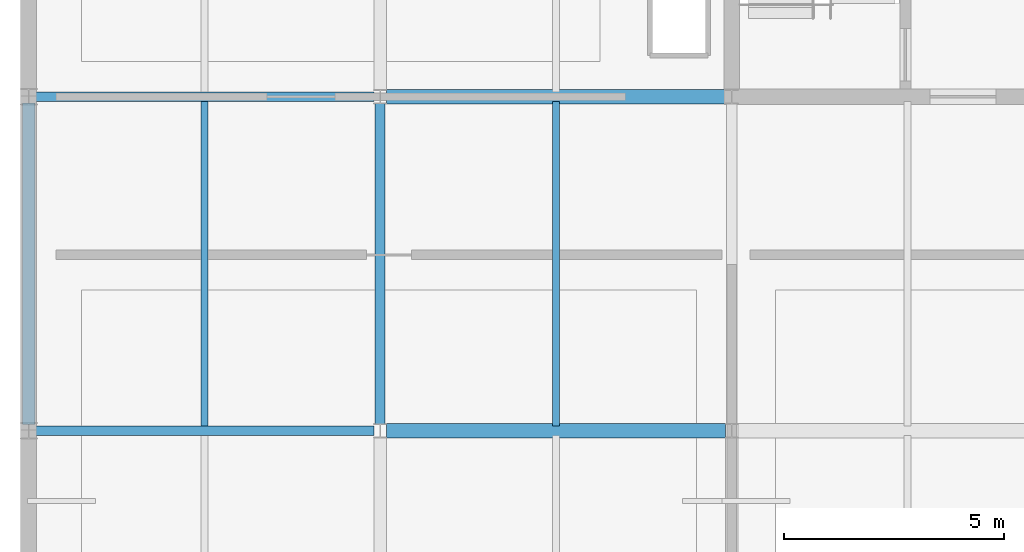
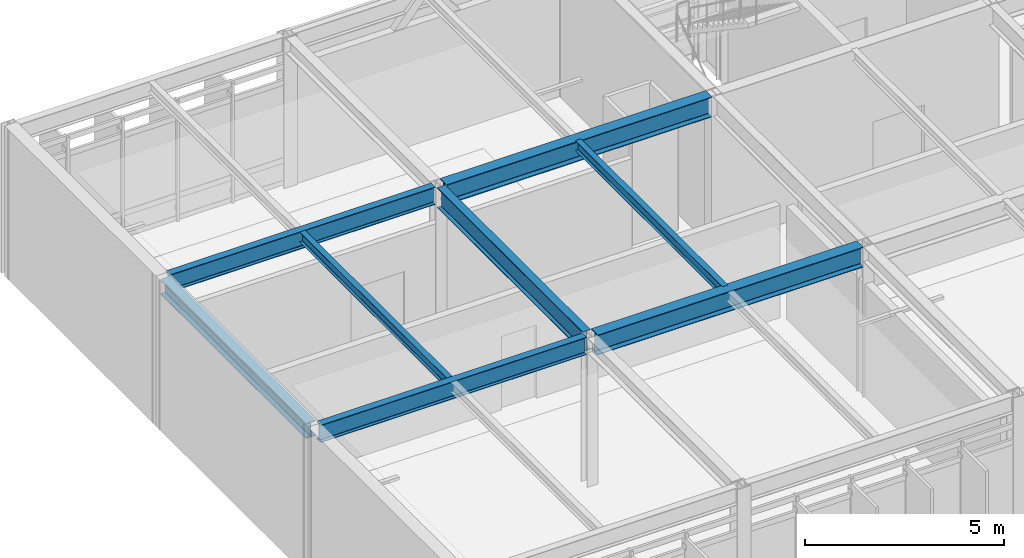
# One storey, part 21 of 100: 8 beams.
"""IFC4 building model written with IfcOpenShell, lengths in metres."""

from ifc_helpers import new_model, si_unit, direction, frame, origin, origin_2d, place, context, subcontext, project, spatial, i_section, extrude, material, material_profile, profile_set, type_object, element, save


model = new_model("IFC4")

# Units and contexts
model_context = context("Model", 3, precision=1e-05, world=origin(), true_north=direction((0.0, 1.0)))
body_context = subcontext(model_context, "Body", "Model", "MODEL_VIEW")
ifc_project = project(units=[si_unit("LENGTHUNIT", "METRE"), si_unit("AREAUNIT", "SQUARE_METRE"), si_unit("VOLUMEUNIT", "CUBIC_METRE"), si_unit("PLANEANGLEUNIT", "RADIAN"), si_unit("MASSUNIT", "GRAM", prefix="KILO")], contexts=[model_context])

# Site, building, storey
site_placement = place(None, origin())
site = spatial("IfcSite", under=ifc_project, at=site_placement, CompositionType="ELEMENT")
building_placement = place(site_placement, origin())
building = spatial("IfcBuilding", under=site, at=building_placement, Name="Zulena Civic Courthouse", CompositionType="ELEMENT")
storey_placement = place(building_placement, frame((0.0, 0.0, 20.39990234375)))
storey = spatial("IfcBuildingStorey", under=building, at=storey_placement, Name="L04", CompositionType="ELEMENT", Elevation=20.39990234375)

# Beams
ifc_material = material(Name="Steel ASTM A992 Grade 50", Category="steel")
ifc_material_profile_1 = material_profile(ifc_material, i_section(OverallWidth=0.324951171875, OverallDepth=0.615966796875, WebThickness=0.013916015625, FlangeThickness=0.021484375, FilletRadius=0.0126953125, at=origin_2d()), Name="W24X117")
ifc_profile_set_1 = profile_set([ifc_material_profile_1], Name="Steel ASTM A992 Grade 50")
beam_type_1 = type_object("IfcBeamType", Name="Girder_W24X117", PredefinedType="BEAM", material=ifc_profile_set_1)
for number, where, z_axis, x_axis, name in (
    (1, (12.14501953125, 7.60009765625, 4.287109375), (1.0, 0.0, 0.0), (0.0, 1.0, 0.0), "beam:X:V2:L04:7.6:12.0_20.0"),
    (2, (12.14501953125, 15.199951171875, 4.287109375), (1.0, 0.0, 0.0), (0.0, 1.0, 0.0), "beam:X:V2:L04:15.2:12.0_20.0"),
):
    element("IfcBeam", number, at=place(storey_placement, frame(where, z_axis=z_axis, x_axis=x_axis)), inside=storey, type_object=beam_type_1, Name=name, PredefinedType="BEAM", context=body_context, shape_type="SweptSolid", body=[
        extrude(i_section(OverallWidth=0.324951171875, OverallDepth=0.615966796875, WebThickness=0.013916015625, FlangeThickness=0.021484375, FilletRadius=0.0126953125, at=origin_2d()), origin(), (0.0, 0.0, 1.0), 7.7099609375),
    ])
ifc_material_profile_2 = material_profile(ifc_material, i_section(OverallWidth=0.22998046875, OverallDepth=0.616943359375, WebThickness=0.01318359375, FlangeThickness=0.022216796875, FilletRadius=0.0126953125, at=origin_2d()), Name="W24X94")
ifc_profile_set_2 = profile_set([ifc_material_profile_2], Name="Steel ASTM A992 Grade 50")
beam_type_2 = type_object("IfcBeamType", Name="Girder_W24X94", PredefinedType="BEAM", material=ifc_profile_set_2)
beam_1_placement = place(storey_placement, frame((12.0, 7.7451171875, 4.28662109375), z_axis=(0.0, 1.0, 0.0), x_axis=(-1.0, 0.0, 0.0)))
element("IfcBeam", 3, at=beam_1_placement, inside=storey, type_object=beam_type_2, Name="beam:Y:V2:L04:12.0:7.6_15.2", PredefinedType="BEAM", context=body_context, shape_type="SweptSolid", body=[
    extrude(i_section(OverallWidth=0.22998046875, OverallDepth=0.616943359375, WebThickness=0.01318359375, FlangeThickness=0.022216796875, FilletRadius=0.0126953125, at=origin_2d()), origin(), (0.0, 0.0, 1.0), 7.309814453125),
])
ifc_material_profile_3 = material_profile(ifc_material, i_section(OverallWidth=0.1650390625, OverallDepth=0.31005859375, WebThickness=0.005859375, FlangeThickness=0.009765625, FilletRadius=0.009765625, at=origin_2d()), Name="W12X26")
ifc_profile_set_3 = profile_set([ifc_material_profile_3], Name="Steel ASTM A992 Grade 50")
beam_type_3 = type_object("IfcBeamType", Name="Joist_W12X26", PredefinedType="JOIST", material=ifc_profile_set_3)
for number, where, z_axis, x_axis, name in (
    (4, (8.0, 7.705078125, 4.440185546875), (0.0, 1.0, 0.0), (-1.0, 0.0, 0.0), "joist:V2:L04:8.00:7.6_15.2"),
    (5, (16.0, 7.705078125, 4.440185546875), (0.0, 1.0, 0.0), (-1.0, 0.0, 0.0), "joist:V2:L04:16.00:7.6_15.2"),
):
    element("IfcBeam", number, at=place(storey_placement, frame(where, z_axis=z_axis, x_axis=x_axis)), inside=storey, type_object=beam_type_3, Name=name, PredefinedType="JOIST", context=body_context, shape_type="SweptSolid", body=[
        extrude(i_section(OverallWidth=0.1650390625, OverallDepth=0.31005859375, WebThickness=0.005859375, FlangeThickness=0.009765625, FilletRadius=0.009765625, at=origin_2d()), origin(), (0.0, 0.0, 1.0), 7.389892578125),
    ])
ifc_material_profile_4 = material_profile(ifc_material, i_section(OverallWidth=0.280029296875, OverallDepth=0.462890625, WebThickness=0.0107421875, FlangeThickness=0.017333984375, FilletRadius=0.01025390625, at=origin_2d()), Name="W18X76")
ifc_profile_set_4 = profile_set([ifc_material_profile_4], Name="Steel ASTM A992 Grade 50")
beam_type_4 = type_object("IfcBeamType", Name="Spandrel_W18X76", PredefinedType="SPANDREL", material=ifc_profile_set_4)
beam_2_placement = place(storey_placement, frame((4.0, 7.7451171875, 4.363525390625), z_axis=(0.0, 1.0, 0.0), x_axis=(-1.0, 0.0, 0.0)))
element("IfcBeam", 6, at=beam_2_placement, inside=storey, type_object=beam_type_4, Name="beam:Y:V2:L04:4.0:7.6_15.2", PredefinedType="SPANDREL", context=body_context, shape_type="SweptSolid", body=[
    extrude(i_section(OverallWidth=0.280029296875, OverallDepth=0.462890625, WebThickness=0.0107421875, FlangeThickness=0.017333984375, FilletRadius=0.01025390625, at=origin_2d()), origin(), (0.0, 0.0, 1.0), 7.309814453125),
])
ifc_material_profile_5 = material_profile(ifc_material, i_section(OverallWidth=0.2099609375, OverallDepth=0.537109375, WebThickness=0.010986328125, FlangeThickness=0.017333984375, FilletRadius=0.0126953125, at=origin_2d()), Name="W21X68")
ifc_profile_set_5 = profile_set([ifc_material_profile_5], Name="Steel ASTM A992 Grade 50")
beam_type_5 = type_object("IfcBeamType", Name="Spandrel_W21X68", PredefinedType="SPANDREL", material=ifc_profile_set_5)
for number, where, z_axis, x_axis, name in (
    (7, (4.14501953125, 7.60009765625, 4.32666015625), (1.0, 0.0, 0.0), (0.0, 1.0, 0.0), "beam:X:V2:L04:7.6:4.0_12.0"),
    (8, (4.14501953125, 15.199951171875, 4.32666015625), (1.0, 0.0, 0.0), (0.0, 1.0, 0.0), "beam:X:V2:L04:15.2:4.0_12.0"),
):
    element("IfcBeam", number, at=place(storey_placement, frame(where, z_axis=z_axis, x_axis=x_axis)), inside=storey, type_object=beam_type_5, Name=name, PredefinedType="SPANDREL", context=body_context, shape_type="SweptSolid", body=[
        extrude(i_section(OverallWidth=0.2099609375, OverallDepth=0.537109375, WebThickness=0.010986328125, FlangeThickness=0.017333984375, FilletRadius=0.0126953125, at=origin_2d()), origin(), (0.0, 0.0, 1.0), 7.7099609375),
    ])

save(model, "model.ifc")
